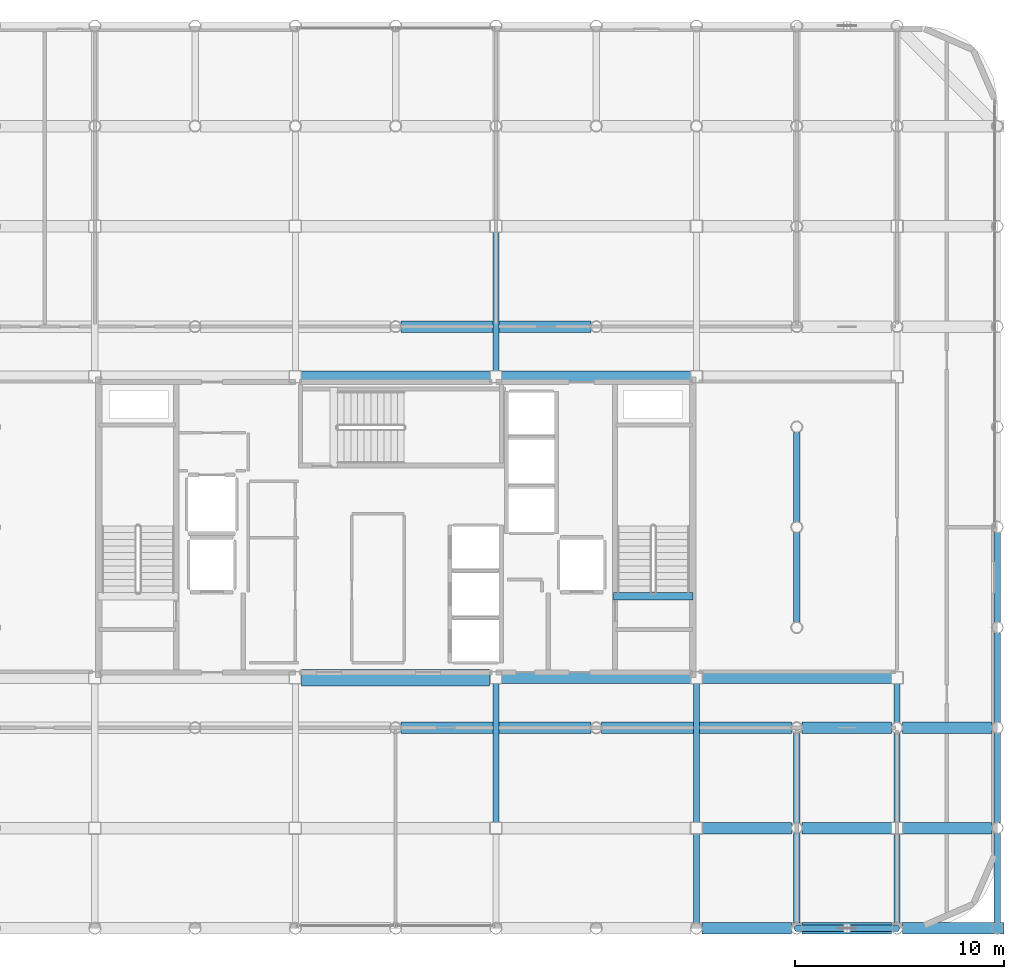
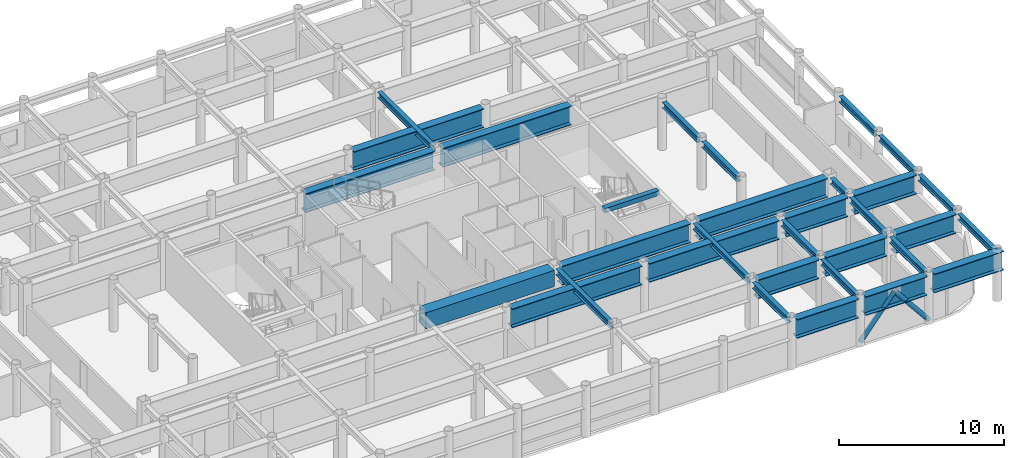
# One storey, part 9 of 21: 32 beams, 2 members.
"""IFC4 building model written with IfcOpenShell, lengths in metres."""

import ifcopenshell
import ifcopenshell.guid

model = None  # the IFC model being written
_history = None  # IfcOwnerHistory: only IFC2X3 demands one
_inside = {}  # id of a spatial element -> (the spatial element, [elements in it])
_under = {}  # id of a project, library or spatial element -> (it, [spatial elements below it])
_declared = {}  # id of a project -> (the project, [libraries it declares])
_typed = {}  # id of a type object -> (the type object, [elements of that type])
_made_of = {}  # id of a material, layer set ... -> (it, [elements and type objects made of it])


def new_model(schema):
    """Start an empty IFC model of exactly this schema.

    Asked for "IFC4X3", IfcOpenShell would pick the latest addendum, in which some entities
    have other attributes; the version numbers below select the first issue.
    IFC2X3 requires an IfcOwnerHistory on every rooted entity: one is made here for all.
    """
    global model, _history
    if schema == "IFC4X3":
        model = ifcopenshell.file(schema_version=(4, 3, 0, 0))
    else:
        model = ifcopenshell.file(schema=schema)
    _inside.clear()
    _under.clear()
    _declared.clear()
    _typed.clear()
    _made_of.clear()
    _history = None
    if model.schema == "IFC2X3":
        org = make("IfcOrganization", Name="unknown")
        user = make(
            "IfcPersonAndOrganization",
            ThePerson=make("IfcPerson", FamilyName="unknown"),
            TheOrganization=org,
        )
        app = make(
            "IfcApplication",
            ApplicationDeveloper=org,
            Version="unknown",
            ApplicationFullName="unknown",
            ApplicationIdentifier="unknown",
        )
        _history = make(
            "IfcOwnerHistory",
            OwningUser=user,
            OwningApplication=app,
            ChangeAction="ADDED",
            CreationDate=0,
        )
    return model


def make(cls, **values):
    """One entity of the class cls with the attributes given. An attribute that is None is left unset."""
    return model.create_entity(
        cls, **{name: value for name, value in values.items() if value is not None}
    )


def rooted(cls, **values):
    """An entity with a GlobalId (a new one), such as an element, a storey or a relation."""
    return make(cls, GlobalId=ifcopenshell.guid.new(), OwnerHistory=_history, **values)


def si_unit(unit_type, name, prefix=None):
    """IfcSIUnit, for example si_unit("LENGTHUNIT", "METRE", prefix="MILLI")."""
    return make("IfcSIUnit", UnitType=unit_type, Prefix=prefix, Name=name)


def assignment(units):
    """IfcUnitAssignment: the units of a project."""
    return None if units is None else make("IfcUnitAssignment", Units=units)


def point(xyz):
    """IfcCartesianPoint."""
    return None if xyz is None else make("IfcCartesianPoint", Coordinates=xyz)


def direction(xyz):
    """IfcDirection."""
    return None if xyz is None else make("IfcDirection", DirectionRatios=xyz)


def frame(location, z_axis=None, x_axis=None):
    """IfcAxis2Placement3D, a coordinate frame: its origin and axes. An axis left out is left unset."""
    return make(
        "IfcAxis2Placement3D",
        Location=point(location),
        Axis=direction(z_axis),
        RefDirection=direction(x_axis),
    )


def frame_2d(location, x_axis=None):
    """IfcAxis2Placement2D, a coordinate frame in the plane: its origin and x axis."""
    return make(
        "IfcAxis2Placement2D", Location=point(location), RefDirection=direction(x_axis)
    )


def origin():
    """The frame at (0, 0, 0) with its axes left unset."""
    return frame((0.0, 0.0, 0.0))


def origin_2d():
    """The frame at (0, 0) in the plane with its x axis left unset."""
    return frame_2d((0.0, 0.0))


def place(relative_to, where):
    """IfcLocalPlacement: puts the frame where relative to a parent placement (None: the world)."""
    return make(
        "IfcLocalPlacement", PlacementRelTo=relative_to, RelativePlacement=where
    )


def context(
    kind, dimensions, precision=None, world=None, true_north=None, identifier=None
):
    """IfcGeometricRepresentationContext, for example the 3D "Model" context."""
    return make(
        "IfcGeometricRepresentationContext",
        ContextIdentifier=identifier,
        ContextType=kind,
        CoordinateSpaceDimension=dimensions,
        Precision=precision,
        WorldCoordinateSystem=world,
        TrueNorth=true_north,
    )


def subcontext(parent, identifier, kind, view, scale=None):
    """IfcGeometricRepresentationSubContext, for example "Body" below "Model"."""
    return make(
        "IfcGeometricRepresentationSubContext",
        ContextIdentifier=identifier,
        ContextType=kind,
        ParentContext=parent,
        TargetScale=scale,
        TargetView=view,
    )


def project(units=None, contexts=None):
    """IfcProject with its units and contexts."""
    return rooted(
        "IfcProject",
        Name="project",
        RepresentationContexts=contexts,
        UnitsInContext=assignment(units),
    )


def spatial(cls, under=None, at=None, **own):
    """A site, building, storey or space (cls), placed at a placement, below another one or the project."""
    s = rooted(cls, ObjectPlacement=at, **own)
    if under is not None:
        _under.setdefault(under.id(), (under, []))[1].append(s)
    return s


def profile(cls, at=None, kind="AREA", **sizes):
    """A parametric profile (cls). Its sizes go by their IFC names, for example OverallWidth=200.0."""
    return make(cls, ProfileType=kind, Position=at, **sizes)


def rectangle(**sizes):
    """IfcRectangleProfileDef."""
    return profile("IfcRectangleProfileDef", **sizes)


def hollow_circle(**sizes):
    """IfcCircleHollowProfileDef."""
    return profile("IfcCircleHollowProfileDef", **sizes)


def i_section(**sizes):
    """IfcIShapeProfileDef."""
    return profile("IfcIShapeProfileDef", **sizes)


def extrude(swept, where, along, depth):
    """IfcExtrudedAreaSolid: the profile swept, set in the frame where, extruded along a direction by depth."""
    return make(
        "IfcExtrudedAreaSolid",
        SweptArea=swept,
        Position=where,
        ExtrudedDirection=direction(along),
        Depth=depth,
    )


def shape(context_of_items, identifier, shape_type, items):
    """IfcShapeRepresentation: the items that make up one representation, for example the "Body"."""
    return make(
        "IfcShapeRepresentation",
        ContextOfItems=context_of_items,
        RepresentationIdentifier=identifier,
        RepresentationType=shape_type,
        Items=items,
    )


def material(Name=None, Category=None):
    """IfcMaterial."""
    return make("IfcMaterial", Name=Name, Category=Category)


def material_profile(
    of_material, cross_section, Name=None, Category=None, Priority=None
):
    """IfcMaterialProfile: a cross section and its material."""
    return make(
        "IfcMaterialProfile",
        Name=Name,
        Material=of_material,
        Profile=cross_section,
        Priority=Priority,
        Category=Category,
    )


def profile_set(profiles, Name=None, composite=None):
    """IfcMaterialProfileSet."""
    return make(
        "IfcMaterialProfileSet",
        Name=Name,
        MaterialProfiles=profiles,
        CompositeProfile=composite,
    )


def made_of(thing, what):
    """Note that an element or type object is made of a material, layer set ...; save() writes the relation."""
    if what is not None:
        _made_of.setdefault(what.id(), (what, []))[1].append(thing)
    return thing


def type_object(cls, material=None, **own):
    """A type object (cls), such as IfcWallType, which elements share."""
    return made_of(rooted(cls, **own), material)


def element(
    cls,
    number,
    at=None,
    inside=None,
    cuts=None,
    type_object=None,
    material=None,
    context=None,
    identifier="Body",
    shape_type=None,
    held_by="IfcProductDefinitionShape",
    body=None,
    shapes=None,
    **own,
):
    """One element of the class cls, such as IfcWall. Its Tag is "e" and its number.

    at: its placement. inside: the storey or other place that contains it. cuts: it is an
    opening in that element (IfcRelVoidsElement). A single representation is given by context,
    identifier, shape_type and body (its items); several are given by shapes. held_by: the class
    of the entity that holds the representations. save() writes the other relations.
    """
    e = rooted(cls, Tag="e%d" % number, ObjectPlacement=at, **own)
    if body is not None:
        shapes = [shape(context, identifier, shape_type, body)]
    if shapes is not None:
        e.Representation = make(held_by, Representations=shapes)
    if inside is not None:
        _inside.setdefault(inside.id(), (inside, []))[1].append(e)
    if cuts is not None:
        rooted(
            "IfcRelVoidsElement", RelatingBuildingElement=cuts, RelatedOpeningElement=e
        )
    if type_object is not None:
        _typed.setdefault(type_object.id(), (type_object, []))[1].append(e)
    return made_of(e, material)


def aggregate(whole, parts):
    """IfcRelAggregates: a whole, such as a stair, and the parts it consists of."""
    return rooted("IfcRelAggregates", RelatingObject=whole, RelatedObjects=parts)


def save(model, path):
    """Write the relations noted so far, then the file.

    IfcRelAggregates (storeys below a building ...), IfcRelContainedInSpatialStructure (elements
    in a storey), IfcRelDefinesByType, IfcRelAssociatesMaterial and IfcRelDeclares: one each for
    every whole, place, type object, material and project.
    """
    for whole, parts in _under.values():
        aggregate(whole, parts)
    for where, things in _inside.values():
        rooted(
            "IfcRelContainedInSpatialStructure",
            RelatedElements=things,
            RelatingStructure=where,
        )
    for kind, things in _typed.values():
        rooted("IfcRelDefinesByType", RelatedObjects=things, RelatingType=kind)
    for what, things in _made_of.values():
        rooted("IfcRelAssociatesMaterial", RelatedObjects=things, RelatingMaterial=what)
    for by, libraries in _declared.values():
        rooted("IfcRelDeclares", RelatingContext=by, RelatedDefinitions=libraries)
    model.write(path)


model = new_model("IFC4")

# Units and contexts
model_context = context("Model", 3, precision=1e-05, world=origin(), true_north=direction((0.0, 1.0)))
body_context = subcontext(model_context, "Body", "Model", "MODEL_VIEW")
ifc_project = project(units=[si_unit("LENGTHUNIT", "METRE"), si_unit("AREAUNIT", "SQUARE_METRE"), si_unit("VOLUMEUNIT", "CUBIC_METRE"), si_unit("PLANEANGLEUNIT", "RADIAN"), si_unit("MASSUNIT", "GRAM", prefix="KILO")], contexts=[model_context])

# Site, building, storey
site_placement = place(None, origin())
site = spatial("IfcSite", under=ifc_project, at=site_placement, CompositionType="ELEMENT")
building_placement = place(site_placement, origin())
building = spatial("IfcBuilding", under=site, at=building_placement, Name="Kallvorn Hotel Tower", CompositionType="ELEMENT")
storey_placement = place(building_placement, frame((0.0, 0.0, 272.35009765625)))
storey = spatial("IfcBuildingStorey", under=building, at=storey_placement, Name="L68", CompositionType="ELEMENT", Elevation=272.35009765625)

# Beams
ifc_material_1 = material(Name="Structural steel S355JR", Category="steel")
ifc_material_profile_1 = material_profile(ifc_material_1, i_section(OverallWidth=0.300048828125, OverallDepth=0.43994140625, WebThickness=0.011474609375, FlangeThickness=0.02099609375, at=origin_2d()), Name="HE 450 A")
ifc_profile_set_1 = profile_set([ifc_material_profile_1], Name="Structural steel S355JR")
beam_type_1 = type_object("IfcBeamType", Name="BM_HE450A", PredefinedType="BEAM", material=ifc_profile_set_1)
for number, where, z_axis, x_axis, name in (
    (1, (4.800048828125, -14.125, 3.3798828125), (0.0, 1.0, 0.0), (-1.0, 0.0, 0.0), "L69 Primary Y-Girder 115"),
    (2, (4.800048828125, 7.47509765625, 3.3798828125), (0.0, 1.0, 0.0), (-1.0, 0.0, 0.0), "L69 Primary Y-Girder 116"),
):
    element("IfcBeam", number, at=place(storey_placement, frame(where, z_axis=z_axis, x_axis=x_axis)), inside=storey, type_object=beam_type_1, Name=name, PredefinedType="BEAM", context=body_context, shape_type="SweptSolid", body=[
        extrude(i_section(OverallWidth=0.300048828125, OverallDepth=0.43994140625, WebThickness=0.011474609375, FlangeThickness=0.02099609375, at=origin_2d()), origin(), (0.0, 0.0, 1.0), 6.64990234375),
    ])
beam_1_placement = place(storey_placement, frame((14.39990234375, -18.945556640625, 3.3798828125), z_axis=(0.0, 1.0, 0.0), x_axis=(-1.0, 0.0, 0.0)))
element("IfcBeam", 3, at=beam_1_placement, inside=storey, type_object=beam_type_1, Name="L69 Primary Y-Girder 122", PredefinedType="BEAM", context=body_context, shape_type="SweptSolid", body=[
    extrude(i_section(OverallWidth=0.300048828125, OverallDepth=0.43994140625, WebThickness=0.011474609375, FlangeThickness=0.02099609375, at=origin_2d()), origin(), (0.0, 0.0, 1.0), 4.2705078125),
])
beam_2_placement = place(storey_placement, frame((14.39990234375, -14.125, 3.3798828125), z_axis=(0.0, 1.0, 0.0), x_axis=(-1.0, 0.0, 0.0)))
element("IfcBeam", 4, at=beam_2_placement, inside=storey, type_object=beam_type_1, Name="L69 Primary Y-Girder 123", PredefinedType="BEAM", context=body_context, shape_type="SweptSolid", body=[
    extrude(i_section(OverallWidth=0.300048828125, OverallDepth=0.43994140625, WebThickness=0.011474609375, FlangeThickness=0.02099609375, at=origin_2d()), origin(), (0.0, 0.0, 1.0), 6.64990234375),
])
for number, where, z_axis, x_axis, name in (
    (5, (19.199951171875, -18.945556640625, 3.3798828125), (0.0, 1.0, 0.0), (-1.0, 0.0, 0.0), "L69 Primary Y-Girder 127"),
    (6, (19.199951171875, -14.1455078125, 3.3798828125), (0.0, 1.0, 0.0), (-1.0, 0.0, 0.0), "L69 Primary Y-Girder 128"),
    (7, (19.199951171875, -4.54541015625, 3.3798828125), (0.0, 1.0, 0.0), (-1.0, 0.0, 0.0), "L69 Primary Y-Girder 130"),
    (8, (19.199951171875, 0.25439453125, 3.3798828125), (0.0, 1.0, 0.0), (-1.0, 0.0, 0.0), "L69 Primary Y-Girder 131"),
):
    element("IfcBeam", number, at=place(storey_placement, frame(where, z_axis=z_axis, x_axis=x_axis)), inside=storey, type_object=beam_type_1, Name=name, PredefinedType="BEAM", context=body_context, shape_type="SweptSolid", body=[
        extrude(i_section(OverallWidth=0.300048828125, OverallDepth=0.43994140625, WebThickness=0.011474609375, FlangeThickness=0.02099609375, at=origin_2d()), origin(), (0.0, 0.0, 1.0), 4.291015625),
    ])
for number, where, z_axis, x_axis, name in (
    (9, (24.0, -18.945556640625, 3.3798828125), (0.0, 1.0, 0.0), (-1.0, 0.0, 0.0), "L69 Primary Y-Girder 136"),
    (10, (24.0, -14.125, 3.3798828125), (0.0, 1.0, 0.0), (-1.0, 0.0, 0.0), "L69 Primary Y-Girder 137"),
):
    element("IfcBeam", number, at=place(storey_placement, frame(where, z_axis=z_axis, x_axis=x_axis)), inside=storey, type_object=beam_type_1, Name=name, PredefinedType="BEAM", context=body_context, shape_type="SweptSolid", body=[
        extrude(i_section(OverallWidth=0.300048828125, OverallDepth=0.43994140625, WebThickness=0.011474609375, FlangeThickness=0.02099609375, at=origin_2d()), origin(), (0.0, 0.0, 1.0), 4.2705078125),
    ])
beam_3_placement = place(storey_placement, frame((24.0, -9.345458984375, 3.3798828125), z_axis=(0.0, 1.0, 0.0), x_axis=(-1.0, 0.0, 0.0)))
element("IfcBeam", 11, at=beam_3_placement, inside=storey, type_object=beam_type_1, Name="L69 Primary Y-Girder 138", PredefinedType="BEAM", context=body_context, shape_type="SweptSolid", body=[
    extrude(i_section(OverallWidth=0.300048828125, OverallDepth=0.43994140625, WebThickness=0.011474609375, FlangeThickness=0.02099609375, at=origin_2d()), origin(), (0.0, 0.0, 1.0), 1.870361328125),
])
for number, where, z_axis, x_axis, name in (
    (12, (28.800048828125, -18.945556640625, 3.3798828125), (0.0, 1.0, 0.0), (-1.0, 0.0, 0.0), "L69 Primary Y-Girder 143"),
    (13, (28.800048828125, -14.1455078125, 3.3798828125), (0.0, 1.0, 0.0), (-1.0, 0.0, 0.0), "L69 Primary Y-Girder 144"),
    (14, (28.800048828125, -9.345458984375, 3.3798828125), (0.0, 1.0, 0.0), (-1.0, 0.0, 0.0), "L69 Primary Y-Girder 145"),
    (15, (28.800048828125, -4.54541015625, 3.3798828125), (0.0, 1.0, 0.0), (-1.0, 0.0, 0.0), "L69 Primary Y-Girder 146"),
):
    element("IfcBeam", number, at=place(storey_placement, frame(where, z_axis=z_axis, x_axis=x_axis)), inside=storey, type_object=beam_type_1, Name=name, PredefinedType="BEAM", context=body_context, shape_type="SweptSolid", body=[
        extrude(i_section(OverallWidth=0.300048828125, OverallDepth=0.43994140625, WebThickness=0.011474609375, FlangeThickness=0.02099609375, at=origin_2d()), origin(), (0.0, 0.0, 1.0), 4.291015625),
    ])
ifc_material_2 = material(Name="Structural steel S355JR", Category="steel")
ifc_material_profile_2 = material_profile(ifc_material_2, i_section(OverallWidth=0.550048828125, OverallDepth=1.39990234375, WebThickness=0.02490234375, FlangeThickness=0.044921875, at=origin_2d()), Name="PG 1400x550x25x45")
ifc_profile_set_2 = profile_set([ifc_material_profile_2], Name="Structural steel S355JR")
beam_type_2 = type_object("IfcBeamType", Name="BM_PG_1400", PredefinedType="BEAM", material=ifc_profile_set_2)
for number, where, z_axis, x_axis, name in (
    (16, (14.654541015625, -19.199951171875, 2.89990234375), (1.0, 0.0, 0.0), (0.0, 1.0, 0.0), "L69 Primary X-Girder 10"),
    (17, (19.45458984375, -19.199951171875, 2.89990234375), (1.0, 0.0, 0.0), (0.0, 1.0, 0.0), "L69 Primary X-Girder 11"),
):
    element("IfcBeam", number, at=place(storey_placement, frame(where, z_axis=z_axis, x_axis=x_axis)), inside=storey, type_object=beam_type_2, Name=name, PredefinedType="BEAM", context=body_context, shape_type="SweptSolid", body=[
        extrude(i_section(OverallWidth=0.550048828125, OverallDepth=1.39990234375, WebThickness=0.02490234375, FlangeThickness=0.044921875, at=origin_2d()), origin(), (0.0, 0.0, 1.0), 4.291015625),
    ])
beam_4_placement = place(storey_placement, frame((24.25439453125, -19.199951171875, 2.89990234375), z_axis=(1.0, 0.0, 0.0), x_axis=(0.0, 1.0, 0.0)))
element("IfcBeam", 18, at=beam_4_placement, inside=storey, type_object=beam_type_2, Name="L69 Primary X-Girder 12", PredefinedType="BEAM", context=body_context, shape_type="SweptSolid", body=[
    extrude(i_section(OverallWidth=0.550048828125, OverallDepth=1.39990234375, WebThickness=0.02490234375, FlangeThickness=0.044921875, at=origin_2d()), origin(), (0.0, 0.0, 1.0), 4.86572265625),
])
for number, where, z_axis, x_axis, name in (
    (19, (14.675048828125, -14.39990234375, 2.89990234375), (1.0, 0.0, 0.0), (0.0, 1.0, 0.0), "L69 Primary X-Girder 20"),
    (20, (19.45458984375, -14.39990234375, 2.89990234375), (1.0, 0.0, 0.0), (0.0, 1.0, 0.0), "L69 Primary X-Girder 21"),
    (21, (24.27490234375, -14.39990234375, 2.89990234375), (1.0, 0.0, 0.0), (0.0, 1.0, 0.0), "L69 Primary X-Girder 22"),
):
    element("IfcBeam", number, at=place(storey_placement, frame(where, z_axis=z_axis, x_axis=x_axis)), inside=storey, type_object=beam_type_2, Name=name, PredefinedType="BEAM", context=body_context, shape_type="SweptSolid", body=[
        extrude(i_section(OverallWidth=0.550048828125, OverallDepth=1.39990234375, WebThickness=0.02490234375, FlangeThickness=0.044921875, at=origin_2d()), origin(), (0.0, 0.0, 1.0), 4.2705078125),
    ])
for number, where, z_axis, x_axis, name in (
    (22, (0.25439453125, -9.60009765625, 2.89990234375), (1.0, 0.0, 0.0), (0.0, 1.0, 0.0), "L69 Primary X-Girder 28"),
    (23, (9.8544921875, -9.60009765625, 2.89990234375), (1.0, 0.0, 0.0), (0.0, 1.0, 0.0), "L69 Primary X-Girder 29"),
):
    element("IfcBeam", number, at=place(storey_placement, frame(where, z_axis=z_axis, x_axis=x_axis)), inside=storey, type_object=beam_type_2, Name=name, PredefinedType="BEAM", context=body_context, shape_type="SweptSolid", body=[
        extrude(i_section(OverallWidth=0.550048828125, OverallDepth=1.39990234375, WebThickness=0.02490234375, FlangeThickness=0.044921875, at=origin_2d()), origin(), (0.0, 0.0, 1.0), 9.091064453125),
    ])
for number, where, z_axis, x_axis, name in (
    (24, (19.45458984375, -9.60009765625, 2.89990234375), (1.0, 0.0, 0.0), (0.0, 1.0, 0.0), "L69 Primary X-Girder 30"),
    (25, (24.25439453125, -9.60009765625, 2.89990234375), (1.0, 0.0, 0.0), (0.0, 1.0, 0.0), "L69 Primary X-Girder 31"),
):
    element("IfcBeam", number, at=place(storey_placement, frame(where, z_axis=z_axis, x_axis=x_axis)), inside=storey, type_object=beam_type_2, Name=name, PredefinedType="BEAM", context=body_context, shape_type="SweptSolid", body=[
        extrude(i_section(OverallWidth=0.550048828125, OverallDepth=1.39990234375, WebThickness=0.02490234375, FlangeThickness=0.044921875, at=origin_2d()), origin(), (0.0, 0.0, 1.0), 4.291015625),
    ])
for number, where, z_axis, x_axis, name in (
    (26, (5.074951171875, -7.199951171875, 2.89990234375), (1.0, 0.0, 0.0), (0.0, 1.0, 0.0), "L69 Primary X-Girder 34"),
    (27, (14.675048828125, -7.199951171875, 2.89990234375), (1.0, 0.0, 0.0), (0.0, 1.0, 0.0), "L69 Primary X-Girder 35"),
):
    element("IfcBeam", number, at=place(storey_placement, frame(where, z_axis=z_axis, x_axis=x_axis)), inside=storey, type_object=beam_type_2, Name=name, PredefinedType="BEAM", context=body_context, shape_type="SweptSolid", body=[
        extrude(i_section(OverallWidth=0.550048828125, OverallDepth=1.39990234375, WebThickness=0.02490234375, FlangeThickness=0.044921875, at=origin_2d()), origin(), (0.0, 0.0, 1.0), 9.050048828125),
    ])
beam_5_placement = place(storey_placement, frame((-4.52490234375, 7.199951171875, 2.89990234375), z_axis=(1.0, 0.0, 0.0), x_axis=(0.0, 1.0, 0.0)))
element("IfcBeam", 28, at=beam_5_placement, inside=storey, type_object=beam_type_2, Name="L69 Primary X-Girder 38", PredefinedType="BEAM", context=body_context, shape_type="SweptSolid", body=[
    extrude(i_section(OverallWidth=0.550048828125, OverallDepth=1.39990234375, WebThickness=0.02490234375, FlangeThickness=0.044921875, at=origin_2d()), origin(), (0.0, 0.0, 1.0), 9.0498046875),
])
beam_6_placement = place(storey_placement, frame((5.074951171875, 7.199951171875, 2.89990234375), z_axis=(1.0, 0.0, 0.0), x_axis=(0.0, 1.0, 0.0)))
element("IfcBeam", 29, at=beam_6_placement, inside=storey, type_object=beam_type_2, Name="L69 Primary X-Girder 39", PredefinedType="BEAM", context=body_context, shape_type="SweptSolid", body=[
    extrude(i_section(OverallWidth=0.550048828125, OverallDepth=1.39990234375, WebThickness=0.02490234375, FlangeThickness=0.044921875, at=origin_2d()), origin(), (0.0, 0.0, 1.0), 9.050048828125),
])
beam_7_placement = place(storey_placement, frame((0.25439453125, 9.60009765625, 2.89990234375), z_axis=(1.0, 0.0, 0.0), x_axis=(0.0, 1.0, 0.0)))
element("IfcBeam", 30, at=beam_7_placement, inside=storey, type_object=beam_type_2, Name="L69 Primary X-Girder 46", PredefinedType="BEAM", context=body_context, shape_type="SweptSolid", body=[
    extrude(i_section(OverallWidth=0.550048828125, OverallDepth=1.39990234375, WebThickness=0.02490234375, FlangeThickness=0.044921875, at=origin_2d()), origin(), (0.0, 0.0, 1.0), 9.091064453125),
])
ifc_material_3 = material(Name="Concrete C50/60", Category="concrete")
ifc_material_profile_3 = material_profile(ifc_material_3, rectangle(XDim=0.360107421875, YDim=0.340087890625, at=origin_2d()), Name="RC 360x340")
ifc_profile_set_3 = profile_set([ifc_material_profile_3], Name="Concrete C50/60")
beam_type_3 = type_object("IfcBeamType", Name="BM_RC_400x360", PredefinedType="BEAM", material=ifc_profile_set_3)
beam_8_placement = place(storey_placement, frame((14.239990234375, -3.31005859375, 3.429931640625), z_axis=(-1.0, 0.0, 0.0), x_axis=(0.0, -1.0, 0.0)))
element("IfcBeam", 31, at=beam_8_placement, inside=storey, type_object=beam_type_3, Name="L69 Stair ST2 Arrival Trimmer Beam", PredefinedType="BEAM", context=body_context, shape_type="SweptSolid", body=[
    extrude(rectangle(XDim=0.360107421875, YDim=0.340087890625, at=origin_2d()), origin(), (0.0, 0.0, 1.0), 3.820068359375),
])
ifc_material_4 = material(Name="Concrete C50/60", Category="concrete")
ifc_material_profile_4 = material_profile(ifc_material_4, rectangle(XDim=0.800048828125, YDim=1.199951171875, at=origin_2d()), Name="RC 800x1200")
ifc_profile_set_4 = profile_set([ifc_material_profile_4], Name="Concrete C50/60")
beam_type_4 = type_object("IfcBeamType", Name="BM_RC_800x1200", PredefinedType="T_BEAM", material=ifc_profile_set_4)
beam_9_placement = place(storey_placement, frame((-4.5, -7.199951171875, 3.0), z_axis=(1.0, 0.0, 0.0), x_axis=(0.0, 1.0, 0.0)))
element("IfcBeam", 32, at=beam_9_placement, inside=storey, type_object=beam_type_4, Name="L68 Core Coupling Beam South", PredefinedType="T_BEAM", context=body_context, shape_type="SweptSolid", body=[
    extrude(rectangle(XDim=0.800048828125, YDim=1.199951171875, at=origin_2d()), origin(), (0.0, 0.0, 1.0), 9.0),
])

# Members
ifc_material_5 = material(Name="Structural steel S355J2H", Category="steel")
ifc_material_profile_5 = material_profile(ifc_material_5, hollow_circle(Radius=0.161865234375, WallThickness=0.012451171875, at=origin_2d()), Name="CHS 323.9x12.5")
ifc_profile_set_5 = profile_set([ifc_material_profile_5], Name="Structural steel S355J2H")
member_type = type_object("IfcMemberType", Name="MBR_EXO_CHS323", PredefinedType="BRACE", material=ifc_profile_set_5)
for number, where, z_axis, x_axis, name in (
    (33, (19.212646484375, -19.199951171875, 0.1953125), (0.629758671556, 0.0, 0.776790844179), (0.0, 1.0, 0.0), "L68 Exoskeleton K-Brace S2A"),
    (34, (23.9873046875, -19.199951171875, 0.1953125), (-0.629758671556, 0.0, 0.776790844179), (0.0, -1.0, 0.0), "L68 Exoskeleton K-Brace S2B"),
):
    element("IfcMember", number, at=place(storey_placement, frame(where, z_axis=z_axis, x_axis=x_axis)), inside=storey, type_object=member_type, Name=name, PredefinedType="BRACE", context=body_context, shape_type="SweptSolid", body=[
        extrude(hollow_circle(Radius=0.161865234375, WallThickness=0.012451171875, at=origin_2d()), origin(), (0.0, 0.0, 1.0), 3.77099609375),
    ])

save(model, "model.ifc")
